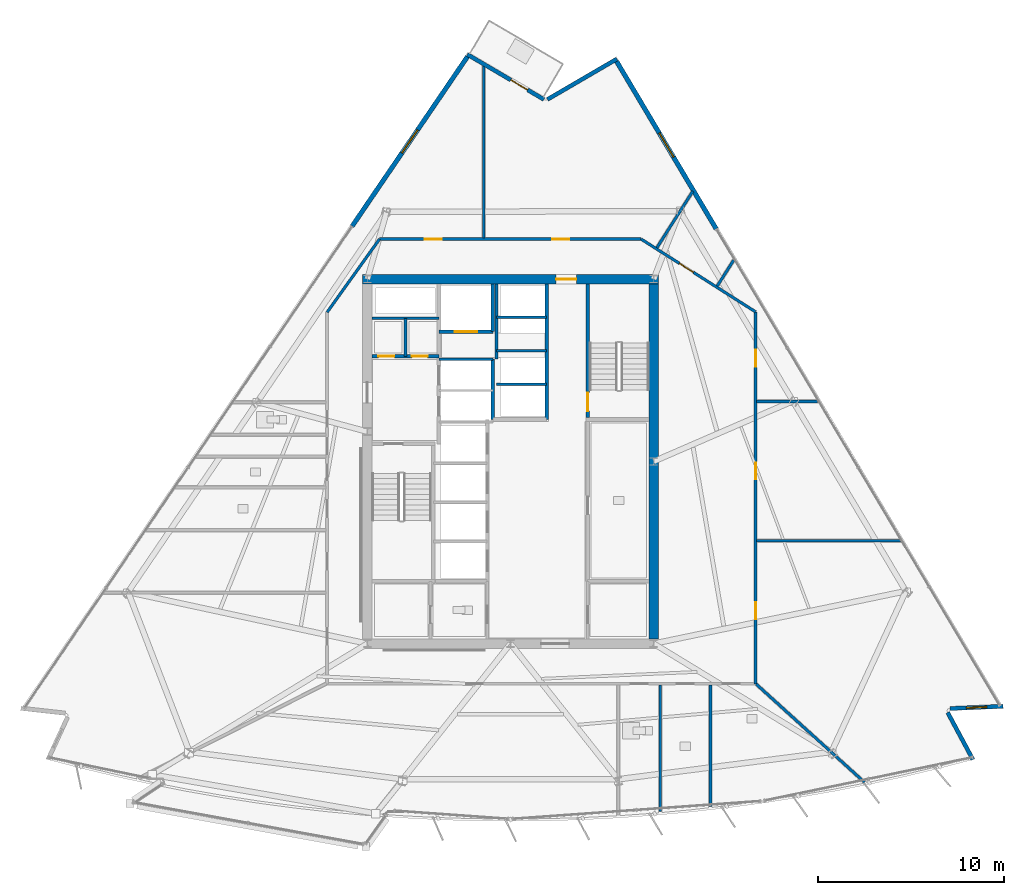
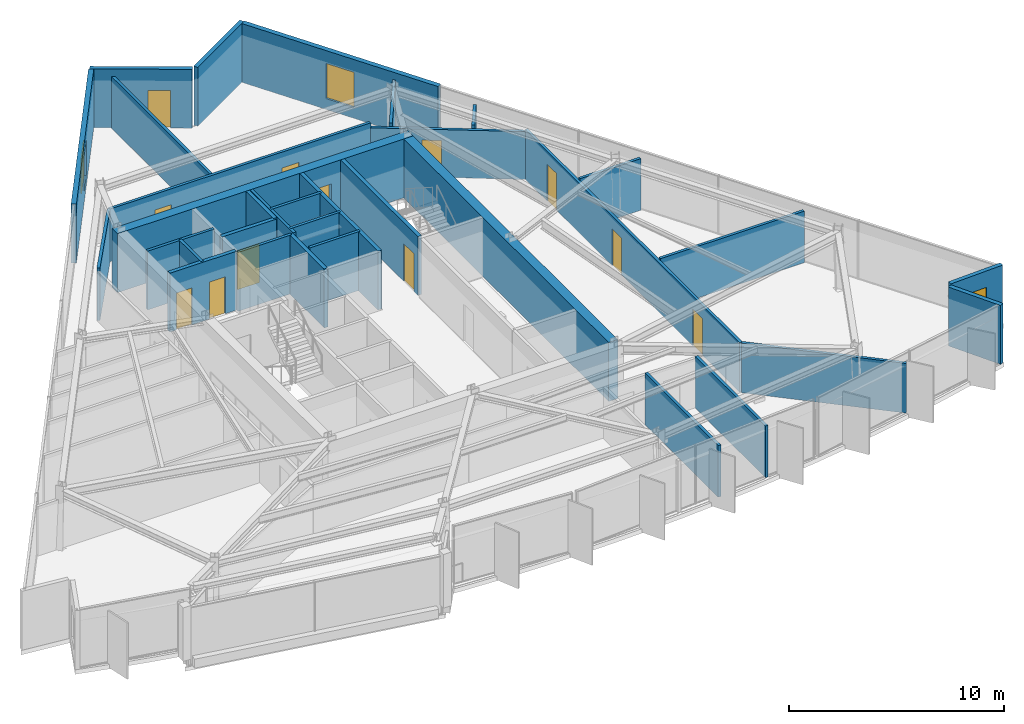
# One storey, part 9 of 14: 33 walls, 12 doors, 3 windows, 15 openings.
"""IFC4 building model written with IfcOpenShell, lengths in metres."""

from ifc_helpers import new_model, si_unit, direction, frame, frame_2d, origin, place, context, subcontext, project, spatial, rectangle, extrude, material, layer, layer_set, type_object, element, fill, save


model = new_model("IFC4")

# Units and contexts
model_context = context("Model", 3, precision=1e-05, world=origin(), true_north=direction((0.0, 1.0)))
body_context = subcontext(model_context, "Body", "Model", "MODEL_VIEW")
ifc_project = project(units=[si_unit("LENGTHUNIT", "METRE"), si_unit("AREAUNIT", "SQUARE_METRE"), si_unit("VOLUMEUNIT", "CUBIC_METRE"), si_unit("PLANEANGLEUNIT", "RADIAN"), si_unit("MASSUNIT", "GRAM", prefix="KILO")], contexts=[model_context])

# Site, building, storey
site_placement = place(None, origin())
site = spatial("IfcSite", under=ifc_project, at=site_placement, CompositionType="ELEMENT")
building_placement = place(site_placement, origin())
building = spatial("IfcBuilding", under=site, at=building_placement, Name="Savorim Split Tower", CompositionType="ELEMENT")
storey_placement = place(building_placement, frame((0.0, 0.0, 178.199951171875)))
storey = spatial("IfcBuildingStorey", under=building, at=storey_placement, Name="L47", CompositionType="ELEMENT", Elevation=178.199951171875)

# Wall, opening, door
ifc_material_1 = material(Name="Concrete C60/75", Category="concrete")
ifc_layer_1 = layer(ifc_material_1, 0.5)
ifc_layer_set_1 = layer_set([ifc_layer_1], Name="WAL-COR-SH500")
wall_type_1 = type_object("IfcWallType", Name="WAL-COR-SH500", PredefinedType="SHEAR", material=ifc_layer_set_1)
wall_1_placement = place(storey_placement, frame((7.949951171875, 10.199951171875, 0.0), z_axis=(0.0, 0.0, 1.0), x_axis=(-1.0, 0.0, 0.0)))
wall_1 = element("IfcWall", 1, at=wall_1_placement, inside=storey, type_object=wall_type_1, Name="L47 Offset Core North Shear Wall", PredefinedType="SHEAR", context=body_context, shape_type="SweptSolid", body=[
    extrude(rectangle(XDim=15.89990234375, YDim=0.5, at=frame_2d((7.949951171875, 0.0))), origin(), (0.0, 0.0, 1.0), 3.35009765625),
])
opening_1_placement = place(wall_1_placement, frame((4.39990234375, 0.0, 0.0)))
opening_1 = element("IfcOpeningElement", 2, at=opening_1_placement, cuts=wall_1, Name="Opening DI-03", PredefinedType="OPENING", context=body_context, shape_type="SweptSolid", body=[
    extrude(rectangle(XDim=1.10009765625, YDim=2.14990234375, at=frame_2d((0.550048828125, 1.074951171875))), frame((0.0, 0.260009765625, 0.0), z_axis=(0.0, -1.0, 0.0), x_axis=(1.0, 0.0, 0.0)), (0.0, 0.0, 1.0), 0.52001953125),
])
ifc_material_2 = material(Name="Timber Fire Door Leaf", Category="wood")
door_type_1 = type_object("IfcDoorType", Name="DOR-FIR-1100", OperationType="NOTDEFINED", PredefinedType="DOOR", material=ifc_material_2)
door_1_placement = place(opening_1_placement, origin())
door_1 = element("IfcDoor", 3, at=door_1_placement, inside=storey, type_object=door_type_1, Name="DOR-L47-COR-NLOB - L47 North Corridor Lobby Fire Door", OperationType="SINGLE_SWING_RIGHT", OverallHeight=2.14990234375, OverallWidth=1.10009765625, PredefinedType="DOOR", context=body_context, shape_type="SweptSolid", body=[
    extrude(rectangle(XDim=1.10009765625, YDim=2.14990234375, at=frame_2d((0.550048828125, 1.074951171875))), frame((0.0, 0.02490234375, 0.0), z_axis=(0.0, -1.0, 0.0), x_axis=(1.0, 0.0, 0.0)), (0.0, 0.0, 1.0), 0.050048828125),
])
fill(opening_1, door_1)

# Walls
wall_2_placement = place(storey_placement, frame((7.699951171875, 9.949951171875, 0.0), z_axis=(0.0, 0.0, 1.0), x_axis=(0.0, -1.0, 0.0)))
element("IfcWall", 4, at=wall_2_placement, inside=storey, type_object=wall_type_1, Name="L47 Offset Core East Shear Wall", PredefinedType="SHEAR", context=body_context, shape_type="SweptSolid", body=[
    extrude(rectangle(XDim=19.099853515625, YDim=0.5, at=frame_2d((9.5498046875, 0.0))), origin(), (0.0, 0.0, 1.0), 3.35009765625),
])
ifc_material_3 = material(Name="Precast concrete C40/50", Category="concrete")
ifc_layer_2 = layer(ifc_material_3, 0.219970703125)
ifc_layer_set_2 = layer_set([ifc_layer_2], Name="WAL-EXT-CRN220")
wall_type_2 = type_object("IfcWallType", Name="WAL-EXT-CRN220", PredefinedType="SOLIDWALL", material=ifc_layer_set_2)
wall_3_placement = place(storey_placement, frame((23.51123046875, -13.102294921875, 0.0), z_axis=(0.0, 0.0, 1.0), x_axis=(0.472804807667, -0.881167188362, 0.0)))
element("IfcWall", 5, at=wall_3_placement, inside=storey, type_object=wall_type_2, Name="L47 Notched Corner Facade Wall SE1", PredefinedType="SOLIDWALL", context=body_context, shape_type="SweptSolid", body=[
    extrude(rectangle(XDim=2.867919921875, YDim=0.219970703125, at=frame_2d((1.43408203125, 0.0))), origin(), (0.0, 0.0, 1.0), 3.35009765625),
])

# Wall, opening, window
wall_4_placement = place(storey_placement, frame((26.495849609375, -12.766845703125, 0.0), z_axis=(0.0, 0.0, 1.0), x_axis=(-0.999095763679, -0.042516526188, 0.0)))
wall_4 = element("IfcWall", 6, at=wall_4_placement, inside=storey, type_object=wall_type_2, Name="L47 Notched Corner Facade Wall SE", PredefinedType="SOLIDWALL", context=body_context, shape_type="SweptSolid", body=[
    extrude(rectangle(XDim=2.865478515625, YDim=0.219970703125, at=frame_2d((1.4326171875, 0.0))), origin(), (0.0, 0.0, 1.0), 3.35009765625),
])
opening_2_placement = place(wall_4_placement, frame((0.8828125, 0.0, 0.6201171875)))
opening_2 = element("IfcOpeningElement", 7, at=opening_2_placement, cuts=wall_4, Name="Opening WN-09", PredefinedType="OPENING", context=body_context, shape_type="SweptSolid", body=[
    extrude(rectangle(XDim=1.10009765625, YDim=1.800048828125, at=frame_2d((0.550048828125, 0.89990234375))), frame((0.0, 0.119873046875, 0.0), z_axis=(0.0, -1.0, 0.0), x_axis=(1.0, 0.0, 0.0)), (0.0, 0.0, 1.0), 0.239990234375),
])
ifc_material_4 = material(Name="Low-E Operable Double Glazing", Category="glass")
window_type_1 = type_object("IfcWindowType", Name="WIN-TWR-1100x1800", PartitioningType="SINGLE_PANEL", PredefinedType="WINDOW", material=ifc_material_4)
window_1_placement = place(opening_2_placement, origin())
window_1 = element("IfcWindow", 8, at=window_1_placement, inside=storey, type_object=window_type_1, Name="L47 Operable Corner Window SE", OverallHeight=1.800048828125, OverallWidth=1.10009765625, PartitioningType="SINGLE_PANEL", PredefinedType="WINDOW", context=body_context, shape_type="SweptSolid", body=[
    extrude(rectangle(XDim=1.10009765625, YDim=1.800048828125, at=frame_2d((0.550048828125, 0.89990234375))), frame((0.0, 0.030029296875, 0.0), z_axis=(0.0, -1.0, 0.0), x_axis=(1.0, 0.0, 0.0)), (0.0, 0.0, 1.0), 0.06005859375),
])
fill(opening_2, window_1)

# Wall
wall_5_placement = place(storey_placement, frame((1.987060546875, 19.867919921875, 0.0), z_axis=(0.0, 0.0, 1.0), x_axis=(0.863979520686, 0.503526948469, 0.0)))
element("IfcWall", 9, at=wall_5_placement, inside=storey, type_object=wall_type_2, Name="L47 Notched Corner Facade Wall NE1", PredefinedType="SOLIDWALL", context=body_context, shape_type="SweptSolid", body=[
    extrude(rectangle(XDim=4.323974609375, YDim=0.219970703125, at=frame_2d((2.162109375, 0.0))), origin(), (0.0, 0.0, 1.0), 3.35009765625),
])

# Wall, opening, door
wall_6_placement = place(storey_placement, frame((-2.32177734375, 22.288818359375, 0.0), z_axis=(0.0, 0.0, 1.0), x_axis=(0.862111523483, -0.506718581738, 0.0)))
wall_6 = element("IfcWall", 10, at=wall_6_placement, inside=storey, type_object=wall_type_2, Name="L47 Notched Corner Facade Wall N", PredefinedType="SOLIDWALL", context=body_context, shape_type="SweptSolid", body=[
    extrude(rectangle(XDim=4.777099609375, YDim=0.219970703125, at=frame_2d((2.388671875, 0.0))), origin(), (0.0, 0.0, 1.0), 3.35009765625),
])
opening_3_placement = place(wall_6_placement, frame((2.713623046875, 0.0, 0.0)))
opening_3 = element("IfcOpeningElement", 11, at=opening_3_placement, cuts=wall_6, Name="Opening DB-01", PredefinedType="OPENING", context=body_context, shape_type="SweptSolid", body=[
    extrude(rectangle(XDim=1.050048828125, YDim=2.14990234375, at=frame_2d((0.52490234375, 1.074951171875))), frame((0.0, 0.119873046875, 0.0), z_axis=(0.0, -1.0, 0.0), x_axis=(1.0, 0.0, 0.0)), (0.0, 0.0, 1.0), 0.239990234375),
])
ifc_material_5 = material(Name="Charcoal Anodised Aluminium", Category="aluminium")
door_type_2 = type_object("IfcDoorType", Name="DOR-BAL-1050", OperationType="NOTDEFINED", PredefinedType="DOOR", material=ifc_material_5)
door_2_placement = place(opening_3_placement, origin())
door_2 = element("IfcDoor", 12, at=door_2_placement, inside=storey, type_object=door_type_2, Name="DOR-L47-TBAL-N - L47 Planted Tree Balcony Door N", OperationType="SINGLE_SWING_RIGHT", OverallHeight=2.14990234375, OverallWidth=1.050048828125, PredefinedType="DOOR", context=body_context, shape_type="SweptSolid", body=[
    extrude(rectangle(XDim=1.050048828125, YDim=2.14990234375, at=frame_2d((0.52490234375, 1.074951171875))), frame((0.0, 0.02490234375, 0.0), z_axis=(0.0, -1.0, 0.0), x_axis=(1.0, 0.0, 0.0)), (0.0, 0.0, 1.0), 0.050048828125),
])
fill(opening_3, door_2)

# Wall, opening, window
ifc_layer_3 = layer(ifc_material_3, 0.25)
ifc_layer_set_3 = layer_set([ifc_layer_3], Name="WAL-EXT-SPN250")
wall_type_3 = type_object("IfcWallType", Name="WAL-EXT-SPN250", PredefinedType="SOLIDWALL", material=ifc_layer_set_3)
wall_7_placement = place(storey_placement, frame((5.706298828125, 21.918701171875, 0.0), z_axis=(0.0, 0.0, 1.0), x_axis=(0.511079110892, -0.859533677298, 0.0)))
wall_7 = element("IfcWall", 13, at=wall_7_placement, inside=storey, type_object=wall_type_3, Name="L47 East Operable Window Pier", PredefinedType="SOLIDWALL", context=body_context, shape_type="SweptSolid", body=[
    extrude(rectangle(XDim=10.4892578125, YDim=0.25, at=frame_2d((5.24462890625, 0.0))), origin(), (0.0, 0.0, 1.0), 3.35009765625),
])
opening_4_placement = place(wall_7_placement, frame((4.49462890625, 0.0, 0.6201171875)))
opening_4 = element("IfcOpeningElement", 14, at=opening_4_placement, cuts=wall_7, Name="Opening WN-06", PredefinedType="OPENING", context=body_context, shape_type="SweptSolid", body=[
    extrude(rectangle(XDim=1.5, YDim=2.0, at=frame_2d((0.75, 1.0))), frame((0.0, 0.135009765625, 0.0), z_axis=(0.0, -1.0, 0.0), x_axis=(1.0, 0.0, 0.0)), (0.0, 0.0, 1.0), 0.27001953125),
])
window_type_2 = type_object("IfcWindowType", Name="WIN-TWR-1500x2000", PartitioningType="SINGLE_PANEL", PredefinedType="WINDOW", material=ifc_material_4)
window_2_placement = place(opening_4_placement, origin())
window_2 = element("IfcWindow", 15, at=window_2_placement, inside=storey, type_object=window_type_2, Name="L47 East Operable Ventilation Window", OverallHeight=2.0, OverallWidth=1.5, PartitioningType="SINGLE_PANEL", PredefinedType="WINDOW", context=body_context, shape_type="SweptSolid", body=[
    extrude(rectangle(XDim=1.5, YDim=2.0, at=frame_2d((0.75, 1.0))), frame((0.0, 0.030029296875, 0.0), z_axis=(0.0, -1.0, 0.0), x_axis=(1.0, 0.0, 0.0)), (0.0, 0.0, 1.0), 0.06005859375),
])
fill(opening_4, window_2)

wall_8_placement = place(storey_placement, frame((-8.51708984375, 13.053466796875, 0.0), z_axis=(0.0, 0.0, 1.0), x_axis=(0.562463961516, 0.826821801838, 0.0)))
wall_8 = element("IfcWall", 16, at=wall_8_placement, inside=storey, type_object=wall_type_3, Name="L47 West Operable Window Pier", PredefinedType="SOLIDWALL", context=body_context, shape_type="SweptSolid", body=[
    extrude(rectangle(XDim=11.017578125, YDim=0.25, at=frame_2d((5.5087890625, 0.0))), origin(), (0.0, 0.0, 1.0), 3.35009765625),
])
opening_5_placement = place(wall_8_placement, frame((4.7587890625, 0.0, 0.6201171875)))
opening_5 = element("IfcOpeningElement", 17, at=opening_5_placement, cuts=wall_8, Name="Opening WN-06", PredefinedType="OPENING", context=body_context, shape_type="SweptSolid", body=[
    extrude(rectangle(XDim=1.5, YDim=2.0, at=frame_2d((0.75, 1.0))), frame((0.0, 0.135009765625, 0.0), z_axis=(0.0, -1.0, 0.0), x_axis=(1.0, 0.0, 0.0)), (0.0, 0.0, 1.0), 0.27001953125),
])
window_3_placement = place(opening_5_placement, origin())
window_3 = element("IfcWindow", 18, at=window_3_placement, inside=storey, type_object=window_type_2, Name="L47 West Operable Ventilation Window", OverallHeight=2.0, OverallWidth=1.5, PartitioningType="SINGLE_PANEL", PredefinedType="WINDOW", context=body_context, shape_type="SweptSolid", body=[
    extrude(rectangle(XDim=1.5, YDim=2.0, at=frame_2d((0.75, 1.0))), frame((0.0, 0.030029296875, 0.0), z_axis=(0.0, -1.0, 0.0), x_axis=(1.0, 0.0, 0.0)), (0.0, 0.0, 1.0), 0.06005859375),
])
fill(opening_5, window_3)

# Wall, openings, doors
ifc_material_6 = material(Name="Concrete C50/60", Category="concrete")
ifc_layer_4 = layer(ifc_material_6, 0.199951171875)
ifc_layer_set_4 = layer_set([ifc_layer_4], Name="WAL-INT-RC200")
wall_type_4 = type_object("IfcWallType", Name="WAL-INT-RC200", PredefinedType="SOLIDWALL", material=ifc_layer_set_4)
wall_9_placement = place(storey_placement, frame((-7.445068359375, 6.050048828125, 0.0), z_axis=(0.0, 0.0, 1.0), x_axis=(1.0, 0.0, 0.0)))
wall_9 = element("IfcWall", 19, at=wall_9_placement, inside=storey, type_object=wall_type_4, Name="L47 Partition W-L47-CR04", PredefinedType="SOLIDWALL", context=body_context, shape_type="SweptSolid", body=[
    extrude(rectangle(XDim=3.594970703125, YDim=0.199951171875, at=frame_2d((1.79736328125, 0.0))), origin(), (0.0, 0.0, 1.0), 3.35009765625),
])
opening_6_placement = place(wall_9_placement, frame((0.344970703125, 0.0, 0.0)))
opening_6 = element("IfcOpeningElement", 20, at=opening_6_placement, cuts=wall_9, Name="Opening DI-12", PredefinedType="OPENING", context=body_context, shape_type="SweptSolid", body=[
    extrude(rectangle(XDim=0.85009765625, YDim=2.10009765625, at=frame_2d((0.425048828125, 1.050048828125))), frame((0.0, 0.10986328125, 0.0), z_axis=(0.0, -1.0, 0.0), x_axis=(1.0, 0.0, 0.0)), (0.0, 0.0, 1.0), 0.219970703125),
])
opening_7_placement = place(wall_9_placement, frame((2.14501953125, 0.0, 0.0)))
opening_7 = element("IfcOpeningElement", 21, at=opening_7_placement, cuts=wall_9, Name="Opening DI-12", PredefinedType="OPENING", context=body_context, shape_type="SweptSolid", body=[
    extrude(rectangle(XDim=0.85009765625, YDim=2.10009765625, at=frame_2d((0.425048828125, 1.050048828125))), frame((0.0, 0.10986328125, 0.0), z_axis=(0.0, -1.0, 0.0), x_axis=(1.0, 0.0, 0.0)), (0.0, 0.0, 1.0), 0.219970703125),
])
ifc_material_7 = material(Name="Galvanised Painted Steel Balustrade", Category="steel")
door_type_3 = type_object("IfcDoorType", Name="DOR-RIS-850", OperationType="NOTDEFINED", PredefinedType="DOOR", material=ifc_material_7)
door_3_placement = place(opening_6_placement, origin())
door_3 = element("IfcDoor", 22, at=door_3_placement, inside=storey, type_object=door_type_3, Name="DR-L47-ELR - L47 Electrical Riser Access Door", OperationType="SINGLE_SWING_RIGHT", OverallHeight=2.10009765625, OverallWidth=0.85009765625, PredefinedType="DOOR", context=body_context, shape_type="SweptSolid", body=[
    extrude(rectangle(XDim=0.85009765625, YDim=2.10009765625, at=frame_2d((0.425048828125, 1.050048828125))), frame((0.0, 0.02490234375, 0.0), z_axis=(0.0, -1.0, 0.0), x_axis=(1.0, 0.0, 0.0)), (0.0, 0.0, 1.0), 0.050048828125),
])
fill(opening_6, door_3)
door_4_placement = place(opening_7_placement, origin())
door_4 = element("IfcDoor", 23, at=door_4_placement, inside=storey, type_object=door_type_3, Name="DR-L47-TLR - L47 Telecom Riser Access Door", OperationType="SINGLE_SWING_LEFT", OverallHeight=2.10009765625, OverallWidth=0.85009765625, PredefinedType="DOOR", context=body_context, shape_type="SweptSolid", body=[
    extrude(rectangle(XDim=0.85009765625, YDim=2.10009765625, at=frame_2d((0.425048828125, 1.050048828125))), frame((0.0, 0.02490234375, 0.0), z_axis=(0.0, -1.0, 0.0), x_axis=(1.0, 0.0, 0.0)), (0.0, 0.0, 1.0), 0.050048828125),
])
fill(opening_7, door_4)

# Wall, opening, door
wall_10_placement = place(storey_placement, frame((4.14990234375, 2.75, 0.0), z_axis=(0.0, 0.0, 1.0), x_axis=(0.0, 1.0, 0.0)))
wall_10 = element("IfcWall", 24, at=wall_10_placement, inside=storey, type_object=wall_type_4, Name="L47 Structural Shaft Wall W-L47-CR07", PredefinedType="SOLIDWALL", context=body_context, shape_type="SweptSolid", body=[
    extrude(rectangle(XDim=7.199951171875, YDim=0.199951171875, at=frame_2d((3.60009765625, 0.0))), origin(), (0.0, 0.0, 1.0), 3.35009765625),
])
opening_8_placement = place(wall_10_placement, frame((0.35009765625, 0.0, 0.0)))
opening_8 = element("IfcOpeningElement", 25, at=opening_8_placement, cuts=wall_10, Name="Opening DI-04", PredefinedType="OPENING", context=body_context, shape_type="SweptSolid", body=[
    extrude(rectangle(XDim=1.0, YDim=2.14990234375, at=frame_2d((0.5, 1.074951171875))), frame((0.0, 0.10986328125, 0.0), z_axis=(0.0, -1.0, 0.0), x_axis=(1.0, 0.0, 0.0)), (0.0, 0.0, 1.0), 0.219970703125),
])
door_type_4 = type_object("IfcDoorType", Name="DOR-FIR-1000", OperationType="NOTDEFINED", PredefinedType="DOOR", material=ifc_material_2)
door_5_placement = place(opening_8_placement, origin())
door_5 = element("IfcDoor", 26, at=door_5_placement, inside=storey, type_object=door_type_4, Name="DR-L47-ST2 - L47 Stair ST-2 Enclosure Door", OperationType="SINGLE_SWING_RIGHT", OverallHeight=2.14990234375, OverallWidth=1.0, PredefinedType="DOOR", context=body_context, shape_type="SweptSolid", body=[
    extrude(rectangle(XDim=1.0, YDim=2.14990234375, at=frame_2d((0.5, 1.074951171875))), frame((0.0, 0.02490234375, 0.0), z_axis=(0.0, -1.0, 0.0), x_axis=(1.0, 0.0, 0.0)), (0.0, 0.0, 1.0), 0.050048828125),
])
fill(opening_8, door_5)

# Wall
wall_11_placement = place(storey_placement, frame((-0.949951171875, 2.64990234375, 0.0), z_axis=(0.0, 0.0, 1.0), x_axis=(0.0, 1.0, 0.0)))
element("IfcWall", 27, at=wall_11_placement, inside=storey, type_object=wall_type_4, Name="L47 Partition W-L47-FFLW", PredefinedType="SOLIDWALL", context=body_context, shape_type="SweptSolid", body=[
    extrude(rectangle(XDim=3.27001953125, YDim=0.199951171875, at=frame_2d((1.635009765625, 0.0))), origin(), (0.0, 0.0, 1.0), 3.35009765625),
])

# Wall, opening, door
wall_12_placement = place(storey_placement, frame((-3.85009765625, 7.3798828125, 0.0), z_axis=(0.0, 0.0, 1.0), x_axis=(1.0, 0.0, 0.0)))
wall_12 = element("IfcWall", 28, at=wall_12_placement, inside=storey, type_object=wall_type_4, Name="L47 Partition W-L47-SVLS", PredefinedType="SOLIDWALL", context=body_context, shape_type="SweptSolid", body=[
    extrude(rectangle(XDim=2.900146484375, YDim=0.199951171875, at=frame_2d((1.4501953125, 0.0))), origin(), (0.0, 0.0, 1.0), 3.35009765625),
])
opening_9_placement = place(wall_12_placement, frame((0.85009765625, 0.0, 0.0)))
opening_9 = element("IfcOpeningElement", 29, at=opening_9_placement, cuts=wall_12, Name="Opening LD-SV", PredefinedType="OPENING", context=body_context, shape_type="SweptSolid", body=[
    extrude(rectangle(XDim=1.199951171875, YDim=2.199951171875, at=frame_2d((0.60009765625, 1.10009765625))), frame((0.0, 0.10986328125, 0.0), z_axis=(0.0, -1.0, 0.0), x_axis=(1.0, 0.0, 0.0)), (0.0, 0.0, 1.0), 0.219970703125),
])
door_type_5 = type_object("IfcDoorType", Name="DOR-SLD-SV1200", OperationType="NOTDEFINED", PredefinedType="DOOR", material=ifc_material_5)
door_6_placement = place(opening_9_placement, origin())
door_6 = element("IfcDoor", 30, at=door_6_placement, inside=storey, type_object=door_type_5, Name="DR-L47-LD-SVL1 - L47 Service Lift SVL-1 Sliding Landing Door", OperationType="DOUBLE_DOOR_SLIDING", OverallHeight=2.199951171875, OverallWidth=1.199951171875, PredefinedType="DOOR", context=body_context, shape_type="SweptSolid", body=[
    extrude(rectangle(XDim=1.199951171875, YDim=2.199951171875, at=frame_2d((0.60009765625, 1.10009765625))), frame((0.0, 0.02490234375, 0.0), z_axis=(0.0, -1.0, 0.0), x_axis=(1.0, 0.0, 0.0)), (0.0, 0.0, 1.0), 0.050048828125),
])
fill(opening_9, door_6)

# Walls
wall_13_placement = place(storey_placement, frame((-0.949951171875, 7.3798828125, 0.0), z_axis=(0.0, 0.0, 1.0), x_axis=(0.0, 1.0, 0.0)))
element("IfcWall", 31, at=wall_13_placement, inside=storey, type_object=wall_type_4, Name="L47 Partition W-L47-SVLE", PredefinedType="SOLIDWALL", context=body_context, shape_type="SweptSolid", body=[
    extrude(rectangle(XDim=2.565185546875, YDim=0.199951171875, at=frame_2d((1.28271484375, 0.0))), origin(), (0.0, 0.0, 1.0), 3.35009765625),
])
wall_14_placement = place(storey_placement, frame((1.949951171875, 2.64990234375, 0.0), z_axis=(0.0, 0.0, 1.0), x_axis=(0.0, 1.0, 0.0)))
element("IfcWall", 32, at=wall_14_placement, inside=storey, type_object=wall_type_4, Name="L47 Partition W-L47-B3FRONT", PredefinedType="SOLIDWALL", context=body_context, shape_type="SweptSolid", body=[
    extrude(rectangle(XDim=7.295166015625, YDim=0.199951171875, at=frame_2d((3.6474609375, 0.0))), origin(), (0.0, 0.0, 1.0), 3.35009765625),
])
ifc_material_8 = material(Name="Acoustic Gypsum Partition Board")
ifc_layer_5 = layer(ifc_material_8, 0.14990234375)
ifc_layer_set_5 = layer_set([ifc_layer_5], Name="WAL-PAR-150")
wall_type_5 = type_object("IfcWallType", Name="WAL-PAR-150", PredefinedType="PARTITIONING", material=ifc_layer_set_5)
wall_15_placement = place(storey_placement, frame((-7.445068359375, 8.10009765625, 0.0), z_axis=(0.0, 0.0, 1.0), x_axis=(1.0, 0.0, 0.0)))
element("IfcWall", 33, at=wall_15_placement, inside=storey, type_object=wall_type_5, Name="L47 Partition W-L47-CR05", PredefinedType="PARTITIONING", context=body_context, shape_type="SweptSolid", body=[
    extrude(rectangle(XDim=3.594970703125, YDim=0.14990234375, at=frame_2d((1.79736328125, 0.0))), origin(), (0.0, 0.0, 1.0), 3.35009765625),
])
wall_16_placement = place(storey_placement, frame((-5.64990234375, 6.050048828125, 0.0), z_axis=(0.0, 0.0, 1.0), x_axis=(0.0, 1.0, 0.0)))
element("IfcWall", 34, at=wall_16_placement, inside=storey, type_object=wall_type_5, Name="L47 Partition W-L47-CR06", PredefinedType="PARTITIONING", context=body_context, shape_type="SweptSolid", body=[
    extrude(rectangle(XDim=2.050048828125, YDim=0.14990234375, at=frame_2d((1.02490234375, 0.0))), origin(), (0.0, 0.0, 1.0), 3.35009765625),
])
wall_17_placement = place(storey_placement, frame((-3.85009765625, 5.89990234375, 0.0), z_axis=(0.0, 0.0, 1.0), x_axis=(1.0, 0.0, 0.0)))
element("IfcWall", 35, at=wall_17_placement, inside=storey, type_object=wall_type_5, Name="L47 Partition W-L47-FFLD2", PredefinedType="PARTITIONING", context=body_context, shape_type="SweptSolid", body=[
    extrude(rectangle(XDim=2.900146484375, YDim=0.14990234375, at=frame_2d((1.4501953125, 0.0))), origin(), (0.0, 0.0, 1.0), 3.35009765625),
])
wall_18_placement = place(storey_placement, frame((-0.75, 5.919921875, 0.0), z_axis=(0.0, 0.0, 1.0), x_axis=(0.0, 1.0, 0.0)))
element("IfcWall", 36, at=wall_18_placement, inside=storey, type_object=wall_type_5, Name="L47 Partition W-L47-B3WEST", PredefinedType="PARTITIONING", context=body_context, shape_type="SweptSolid", body=[
    extrude(rectangle(XDim=4.025146484375, YDim=0.14990234375, at=frame_2d((2.0126953125, 0.0))), origin(), (0.0, 0.0, 1.0), 3.35009765625),
])
for number, where, z_axis, x_axis, name in (
    (37, (-0.75, 4.550048828125, 0.0), (0.0, 0.0, 1.0), (1.0, 0.0, 0.0), "L47 Partition W-L47-B3DIV1"),
    (38, (-0.75, 6.35009765625, 0.0), (0.0, 0.0, 1.0), (1.0, 0.0, 0.0), "L47 Partition W-L47-B3DIV2"),
    (39, (-0.75, 8.14990234375, 0.0), (0.0, 0.0, 1.0), (1.0, 0.0, 0.0), "L47 Partition W-L47-B3DIV3"),
):
    element("IfcWall", number, at=place(storey_placement, frame(where, z_axis=z_axis, x_axis=x_axis)), inside=storey, type_object=wall_type_5, Name=name, PredefinedType="PARTITIONING", context=body_context, shape_type="SweptSolid", body=[
        extrude(rectangle(XDim=2.699951171875, YDim=0.14990234375, at=frame_2d((1.35009765625, 0.0))), origin(), (0.0, 0.0, 1.0), 3.35009765625),
    ])
wall_19_placement = place(storey_placement, frame((-9.860107421875, 8.42578125, 0.0), z_axis=(0.0, 0.0, 1.0), x_axis=(0.582449511476, 0.812866881218, 0.0)))
element("IfcWall", 40, at=wall_19_placement, inside=storey, type_object=wall_type_5, Name="L47 Partition W-L47-COR-02", PredefinedType="PARTITIONING", context=body_context, shape_type="SweptSolid", body=[
    extrude(rectangle(XDim=4.840087890625, YDim=0.14990234375, at=frame_2d((2.419921875, 0.0))), origin(), (0.0, 0.0, 1.0), 3.005126953125),
])

# Wall, openings, doors
wall_20_placement = place(storey_placement, frame((-7.041015625, 12.360107421875, 0.0), z_axis=(0.0, 0.0, 1.0), x_axis=(1.0, 0.0, 0.0)))
wall_20 = element("IfcWall", 41, at=wall_20_placement, inside=storey, type_object=wall_type_5, Name="L47 Partition W-L47-COR-03", PredefinedType="PARTITIONING", context=body_context, shape_type="SweptSolid", body=[
    extrude(rectangle(XDim=14.064208984375, YDim=0.14990234375, at=frame_2d((7.0322265625, 0.0))), origin(), (0.0, 0.0, 1.0), 3.005126953125),
])
opening_10_placement = place(wall_20_placement, frame((9.295654296875, 0.0, 0.0)))
opening_10 = element("IfcOpeningElement", 42, at=opening_10_placement, cuts=wall_20, Name="Opening DI-06", PredefinedType="OPENING", context=body_context, shape_type="SweptSolid", body=[
    extrude(rectangle(XDim=0.89990234375, YDim=2.10009765625, at=frame_2d((0.449951171875, 1.050048828125))), frame((0.0, 0.0849609375, 0.0), z_axis=(0.0, -1.0, 0.0), x_axis=(1.0, 0.0, 0.0)), (0.0, 0.0, 1.0), 0.169921875),
])
opening_11_placement = place(wall_20_placement, frame((2.441650390625, 0.0, 0.0)))
opening_11 = element("IfcOpeningElement", 43, at=opening_11_placement, cuts=wall_20, Name="Opening DI-06", PredefinedType="OPENING", context=body_context, shape_type="SweptSolid", body=[
    extrude(rectangle(XDim=0.89990234375, YDim=2.10009765625, at=frame_2d((0.449951171875, 1.050048828125))), frame((0.0, 0.0849609375, 0.0), z_axis=(0.0, -1.0, 0.0), x_axis=(1.0, 0.0, 0.0)), (0.0, 0.0, 1.0), 0.169921875),
])
door_type_6 = type_object("IfcDoorType", Name="DOR-FIR-900", OperationType="NOTDEFINED", PredefinedType="DOOR", material=ifc_material_2)
door_7_placement = place(opening_10_placement, origin())
door_7 = element("IfcDoor", 44, at=door_7_placement, inside=storey, type_object=door_type_6, Name="DR-L47-RM13 - L47 Co-Working Commons Entry Door", OperationType="SINGLE_SWING_RIGHT", OverallHeight=2.10009765625, OverallWidth=0.89990234375, PredefinedType="DOOR", context=body_context, shape_type="SweptSolid", body=[
    extrude(rectangle(XDim=0.89990234375, YDim=2.10009765625, at=frame_2d((0.449951171875, 1.050048828125))), frame((0.0, 0.02490234375, 0.0), z_axis=(0.0, -1.0, 0.0), x_axis=(1.0, 0.0, 0.0)), (0.0, 0.0, 1.0), 0.050048828125),
])
fill(opening_10, door_7)
door_8_placement = place(opening_11_placement, origin())
door_8 = element("IfcDoor", 45, at=door_8_placement, inside=storey, type_object=door_type_6, Name="DR-L47-RM14 - L47 Maker Workshop Entry Door", OperationType="SINGLE_SWING_LEFT", OverallHeight=2.10009765625, OverallWidth=0.89990234375, PredefinedType="DOOR", context=body_context, shape_type="SweptSolid", body=[
    extrude(rectangle(XDim=0.89990234375, YDim=2.10009765625, at=frame_2d((0.449951171875, 1.050048828125))), frame((0.0, 0.02490234375, 0.0), z_axis=(0.0, -1.0, 0.0), x_axis=(1.0, 0.0, 0.0)), (0.0, 0.0, 1.0), 0.050048828125),
])
fill(opening_11, door_8)

# Wall, opening, door
wall_21_placement = place(storey_placement, frame((7.023193359375, 12.360107421875, 0.0), z_axis=(0.0, 0.0, 1.0), x_axis=(0.84376480085, -0.536713108511, 0.0)))
wall_21 = element("IfcWall", 46, at=wall_21_placement, inside=storey, type_object=wall_type_5, Name="L47 Partition W-L47-COR-04", PredefinedType="PARTITIONING", context=body_context, shape_type="SweptSolid", body=[
    extrude(rectangle(XDim=7.296630859375, YDim=0.14990234375, at=frame_2d((3.6484375, 0.0))), origin(), (0.0, 0.0, 1.0), 2.72509765625),
])
opening_12_placement = place(wall_21_placement, frame((2.43994140625, 0.0, 0.0)))
opening_12 = element("IfcOpeningElement", 47, at=opening_12_placement, cuts=wall_21, Name="Opening DI-06", PredefinedType="OPENING", context=body_context, shape_type="SweptSolid", body=[
    extrude(rectangle(XDim=0.89990234375, YDim=2.10009765625, at=frame_2d((0.449951171875, 1.050048828125))), frame((0.0, 0.0849609375, 0.0), z_axis=(0.0, -1.0, 0.0), x_axis=(1.0, 0.0, 0.0)), (0.0, 0.0, 1.0), 0.169921875),
])
door_9_placement = place(opening_12_placement, origin())
door_9 = element("IfcDoor", 48, at=door_9_placement, inside=storey, type_object=door_type_6, Name="DR-L47-RM12 - L47 Quiet Study Room Entry Door", OperationType="SINGLE_SWING_LEFT", OverallHeight=2.10009765625, OverallWidth=0.89990234375, PredefinedType="DOOR", context=body_context, shape_type="SweptSolid", body=[
    extrude(rectangle(XDim=0.89990234375, YDim=2.10009765625, at=frame_2d((0.449951171875, 1.050048828125))), frame((0.0, 0.02490234375, 0.0), z_axis=(0.0, -1.0, 0.0), x_axis=(1.0, 0.0, 0.0)), (0.0, 0.0, 1.0), 0.050048828125),
])
fill(opening_12, door_9)

# Wall, openings, doors
wall_22_placement = place(storey_placement, frame((13.179931640625, 8.44384765625, 0.0), z_axis=(0.0, 0.0, 1.0), x_axis=(0.0, -1.0, 0.0)))
wall_22 = element("IfcWall", 49, at=wall_22_placement, inside=storey, type_object=wall_type_5, Name="L47 Partition W-L47-COR-05", PredefinedType="PARTITIONING", context=body_context, shape_type="SweptSolid", body=[
    extrude(rectangle(XDim=20.00390625, YDim=0.14990234375, at=frame_2d((10.001953125, 0.0))), origin(), (0.0, 0.0, 1.0), 2.824951171875),
])
opening_13_placement = place(wall_22_placement, frame((15.619384765625, 0.0, 0.0)))
opening_13 = element("IfcOpeningElement", 50, at=opening_13_placement, cuts=wall_22, Name="Opening DI-06", PredefinedType="OPENING", context=body_context, shape_type="SweptSolid", body=[
    extrude(rectangle(XDim=0.89990234375, YDim=2.10009765625, at=frame_2d((0.449951171875, 1.050048828125))), frame((0.0, 0.0849609375, 0.0), z_axis=(0.0, -1.0, 0.0), x_axis=(1.0, 0.0, 0.0)), (0.0, 0.0, 1.0), 0.169921875),
])
opening_14_placement = place(wall_22_placement, frame((8.114501953125, 0.0, 0.0)))
opening_14 = element("IfcOpeningElement", 51, at=opening_14_placement, cuts=wall_22, Name="Opening DI-06", PredefinedType="OPENING", context=body_context, shape_type="SweptSolid", body=[
    extrude(rectangle(XDim=0.89990234375, YDim=2.10009765625, at=frame_2d((0.449951171875, 1.050048828125))), frame((0.0, 0.0849609375, 0.0), z_axis=(0.0, -1.0, 0.0), x_axis=(1.0, 0.0, 0.0)), (0.0, 0.0, 1.0), 0.169921875),
])
opening_15_placement = place(wall_22_placement, frame((2.046875, 0.0, 0.0)))
opening_15 = element("IfcOpeningElement", 52, at=opening_15_placement, cuts=wall_22, Name="Opening DI-06", PredefinedType="OPENING", context=body_context, shape_type="SweptSolid", body=[
    extrude(rectangle(XDim=0.89990234375, YDim=2.10009765625, at=frame_2d((0.449951171875, 1.050048828125))), frame((0.0, 0.0849609375, 0.0), z_axis=(0.0, -1.0, 0.0), x_axis=(1.0, 0.0, 0.0)), (0.0, 0.0, 1.0), 0.169921875),
])
door_10_placement = place(opening_13_placement, origin())
door_10 = element("IfcDoor", 53, at=door_10_placement, inside=storey, type_object=door_type_6, Name="DR-L47-RM09 - L47 Co-Working Commons Entry Door", OperationType="SINGLE_SWING_RIGHT", OverallHeight=2.10009765625, OverallWidth=0.89990234375, PredefinedType="DOOR", context=body_context, shape_type="SweptSolid", body=[
    extrude(rectangle(XDim=0.89990234375, YDim=2.10009765625, at=frame_2d((0.449951171875, 1.050048828125))), frame((0.0, 0.02490234375, 0.0), z_axis=(0.0, -1.0, 0.0), x_axis=(1.0, 0.0, 0.0)), (0.0, 0.0, 1.0), 0.050048828125),
])
fill(opening_13, door_10)
door_11_placement = place(opening_14_placement, origin())
door_11 = element("IfcDoor", 54, at=door_11_placement, inside=storey, type_object=door_type_6, Name="DR-L47-RM10 - L47 Maker Workshop Entry Door", OperationType="SINGLE_SWING_LEFT", OverallHeight=2.10009765625, OverallWidth=0.89990234375, PredefinedType="DOOR", context=body_context, shape_type="SweptSolid", body=[
    extrude(rectangle(XDim=0.89990234375, YDim=2.10009765625, at=frame_2d((0.449951171875, 1.050048828125))), frame((0.0, 0.02490234375, 0.0), z_axis=(0.0, -1.0, 0.0), x_axis=(1.0, 0.0, 0.0)), (0.0, 0.0, 1.0), 0.050048828125),
])
fill(opening_14, door_11)
door_12_placement = place(opening_15_placement, origin())
door_12 = element("IfcDoor", 55, at=door_12_placement, inside=storey, type_object=door_type_6, Name="DR-L47-RM11 - L47 Co-Living Bedroom Entry Door", OperationType="SINGLE_SWING_RIGHT", OverallHeight=2.10009765625, OverallWidth=0.89990234375, PredefinedType="DOOR", context=body_context, shape_type="SweptSolid", body=[
    extrude(rectangle(XDim=0.89990234375, YDim=2.10009765625, at=frame_2d((0.449951171875, 1.050048828125))), frame((0.0, 0.02490234375, 0.0), z_axis=(0.0, -1.0, 0.0), x_axis=(1.0, 0.0, 0.0)), (0.0, 0.0, 1.0), 0.050048828125),
])
fill(opening_15, door_12)

# Walls
wall_23_placement = place(storey_placement, frame((13.206787109375, -11.5703125, 0.0), z_axis=(0.0, 0.0, 1.0), x_axis=(0.740935293124, -0.671576422609, 0.0)))
element("IfcWall", 56, at=wall_23_placement, inside=storey, type_object=wall_type_5, Name="L47 Partition W-L47-PRAD04", PredefinedType="PARTITIONING", context=body_context, shape_type="SweptSolid", body=[
    extrude(rectangle(XDim=7.863525390625, YDim=0.14990234375, at=frame_2d((3.931640625, 0.0))), origin(), (0.0, 0.0, 1.0), 2.824951171875),
])
wall_24_placement = place(storey_placement, frame((13.239990234375, 3.62841796875, 0.0), z_axis=(0.0, 0.0, 1.0), x_axis=(1.0, 0.0, 0.0)))
element("IfcWall", 57, at=wall_24_placement, inside=storey, type_object=wall_type_5, Name="L47 Partition W-L47-PRAD06", PredefinedType="PARTITIONING", context=body_context, shape_type="SweptSolid", body=[
    extrude(rectangle(XDim=3.283935546875, YDim=0.14990234375, at=frame_2d((1.64208984375, 0.0))), origin(), (0.0, 0.0, 1.0), 2.93505859375),
])
wall_25_placement = place(storey_placement, frame((7.872314453125, 11.89111328125, 0.0), z_axis=(0.0, 0.0, 1.0), x_axis=(0.536699955458, 0.843773167274, 0.0)))
element("IfcWall", 58, at=wall_25_placement, inside=storey, type_object=wall_type_5, Name="L47 Partition W-L47-PRAD07", PredefinedType="PARTITIONING", context=body_context, shape_type="SweptSolid", body=[
    extrude(rectangle(XDim=3.60009765625, YDim=0.14990234375, at=frame_2d((1.800048828125, 0.0))), origin(), (0.0, 0.0, 1.0), 2.93505859375),
])
wall_26_placement = place(storey_placement, frame((10.7509765625, -11.6201171875, 0.0), z_axis=(0.0, 0.0, 1.0), x_axis=(0.0, -1.0, 0.0)))
element("IfcWall", 59, at=wall_26_placement, inside=storey, type_object=wall_type_5, Name="L47 Partition W-L47-SUB02", PredefinedType="PARTITIONING", context=body_context, shape_type="SweptSolid", body=[
    extrude(rectangle(XDim=6.5458984375, YDim=0.14990234375, at=frame_2d((3.27294921875, 0.0))), origin(), (0.0, 0.0, 1.0), 2.93505859375),
])
wall_27_placement = place(storey_placement, frame((11.11572265625, 9.827880859375, 0.0), z_axis=(0.0, 0.0, 1.0), x_axis=(0.536732563691, 0.843752425226, 0.0)))
element("IfcWall", 60, at=wall_27_placement, inside=storey, type_object=wall_type_5, Name="L47 Partition W-L47-SUB03", PredefinedType="PARTITIONING", context=body_context, shape_type="SweptSolid", body=[
    extrude(rectangle(XDim=1.657958984375, YDim=0.14990234375, at=frame_2d((0.8291015625, 0.0))), origin(), (0.0, 0.0, 1.0), 2.93505859375),
])
wall_28_placement = place(storey_placement, frame((8.05224609375, -11.6201171875, 0.0), z_axis=(0.0, 0.0, 1.0), x_axis=(0.0, -1.0, 0.0)))
element("IfcWall", 61, at=wall_28_placement, inside=storey, type_object=wall_type_5, Name="L47 Partition W-L47-SUB05", PredefinedType="PARTITIONING", context=body_context, shape_type="SweptSolid", body=[
    extrude(rectangle(XDim=6.81689453125, YDim=0.14990234375, at=frame_2d((3.408447265625, 0.0))), origin(), (0.0, 0.0, 1.0), 2.93505859375),
])
wall_29_placement = place(storey_placement, frame((13.239990234375, -3.869384765625, 0.0), z_axis=(0.0, 0.0, 1.0), x_axis=(1.0, 0.0, 0.0)))
element("IfcWall", 62, at=wall_29_placement, inside=storey, type_object=wall_type_5, Name="L47 Partition W-L47-SUB06", PredefinedType="PARTITIONING", context=body_context, shape_type="SweptSolid", body=[
    extrude(rectangle(XDim=7.7421875, YDim=0.14990234375, at=frame_2d((3.87109375, 0.0))), origin(), (0.0, 0.0, 1.0), 2.93505859375),
])
wall_30_placement = place(storey_placement, frame((-1.43603515625, 12.419921875, 0.0), z_axis=(0.0, 0.0, 1.0), x_axis=(0.0, 1.0, 0.0)))
element("IfcWall", 63, at=wall_30_placement, inside=storey, type_object=wall_type_5, Name="L47 Partition W-L47-SUB07", PredefinedType="PARTITIONING", context=body_context, shape_type="SweptSolid", body=[
    extrude(rectangle(XDim=9.290283203125, YDim=0.14990234375, at=frame_2d((4.64501953125, 0.0))), origin(), (0.0, 0.0, 1.0), 2.93505859375),
])

save(model, "model.ifc")
